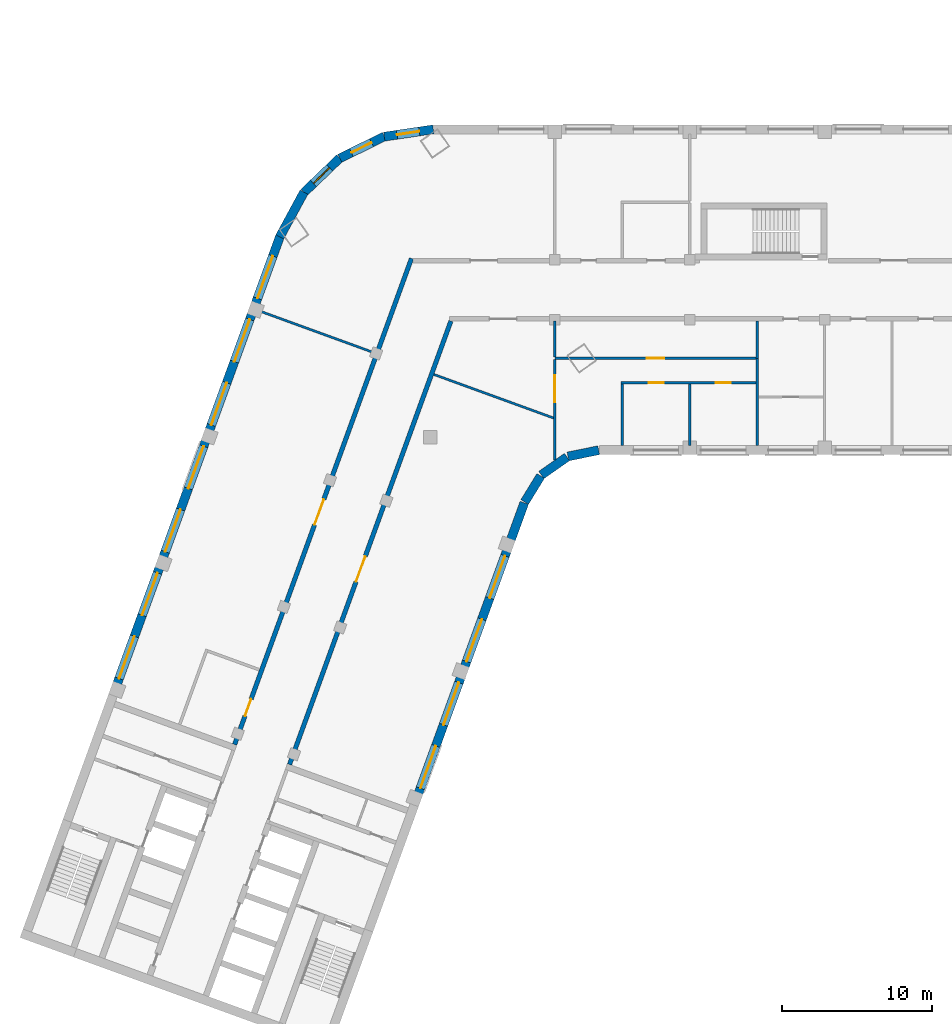
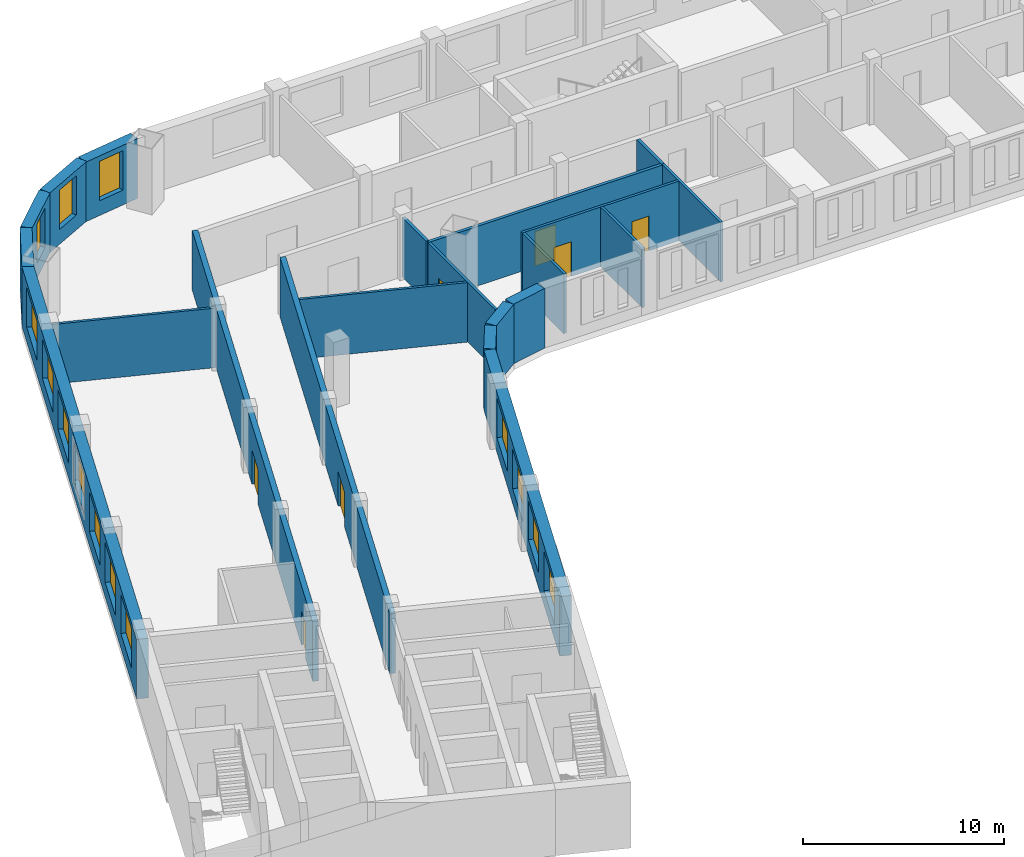
# One storey, part 3 of 12: 21 walls, 14 windows, 7 doors, 21 openings.
"""IFC4 building model written with IfcOpenShell, lengths in metres."""

from ifc_helpers import new_model, si_unit, direction, frame, frame_2d, origin, place, context, subcontext, project, spatial, rectangle, extrude, material, layer, layer_set, type_object, element, fill, save


model = new_model("IFC4")

# Units and contexts
model_context = context("Model", 3, precision=1e-05, world=origin(), true_north=direction((0.0, 1.0)))
body_context = subcontext(model_context, "Body", "Model", "MODEL_VIEW")
ifc_project = project(units=[si_unit("LENGTHUNIT", "METRE"), si_unit("AREAUNIT", "SQUARE_METRE"), si_unit("VOLUMEUNIT", "CUBIC_METRE"), si_unit("PLANEANGLEUNIT", "RADIAN"), si_unit("MASSUNIT", "GRAM", prefix="KILO")], contexts=[model_context])

# Site, building, storey
site_placement = place(None, origin())
site = spatial("IfcSite", under=ifc_project, at=site_placement, CompositionType="ELEMENT")
building_placement = place(site_placement, origin())
building = spatial("IfcBuilding", under=site, at=building_placement, Name="Skarvind Civic Tower", CompositionType="ELEMENT")
storey_placement = place(building_placement, frame((0.0, 0.0, 35.5)))
storey = spatial("IfcBuildingStorey", under=building, at=storey_placement, Name="L07", CompositionType="ELEMENT", Elevation=35.5)

# Wall
ifc_material_1 = material(Name="Acoustic gypsum board on steel studs", Category="steel")
ifc_layer_1 = layer(ifc_material_1, 0.175048828125)
ifc_layer_set_1 = layer_set([ifc_layer_1], Name="ACOUSTIC MEETING-ROOM PARTITION 175")
wall_type_1 = type_object("IfcWallType", Name="ACOUSTIC MEETING-ROOM PARTITION 175", PredefinedType="PARTITIONING", material=ifc_layer_set_1)
wall_1_placement = place(storey_placement, frame((54.25, 123.501953125, 0.0), z_axis=(0.0, 0.0, 1.0), x_axis=(0.0, 1.0, 0.0)))
element("IfcWall", 1, at=wall_1_placement, inside=storey, type_object=wall_type_1, Name="Partition 07.009", PredefinedType="PARTITIONING", context=body_context, shape_type="SweptSolid", body=[
    extrude(rectangle(XDim=2.39794921875, YDim=0.175048828125, at=frame_2d((1.198974609375, 0.0))), origin(), (0.0, 0.0, 1.0), 3.625),
])

# Wall, opening, door
wall_2_placement = place(storey_placement, frame((54.25, 123.429931640625, 0.0), z_axis=(0.0, 0.0, 1.0), x_axis=(1.0, 0.0, 0.0)))
wall_2 = element("IfcWall", 2, at=wall_2_placement, inside=storey, type_object=wall_type_1, Name="Partition 07.010", PredefinedType="PARTITIONING", context=body_context, shape_type="SweptSolid", body=[
    extrude(rectangle(XDim=13.412109375, YDim=0.175048828125, at=frame_2d((6.7060546875, 0.0))), origin(), (0.0, 0.0, 1.0), 3.625),
])
opening_1_placement = place(wall_2_placement, frame((6.115966796875, 0.0, 0.0)))
opening_1 = element("IfcOpeningElement", 3, at=opening_1_placement, cuts=wall_2, Name="Opening L07-D022", PredefinedType="OPENING", context=body_context, shape_type="SweptSolid", body=[
    extrude(rectangle(XDim=1.199951171875, YDim=2.10009765625, at=frame_2d((0.60009765625, 1.050048828125))), frame((0.0, 0.097412109375, 0.0), z_axis=(0.0, -1.0, 0.0), x_axis=(1.0, 0.0, 0.0)), (0.0, 0.0, 1.0), 0.195068359375),
])
ifc_material_2 = material(Name="Timber door leaf", Category="wood")
door_type_1 = type_object("IfcDoorType", Name="DOOR 1200X2100 DOUBLE TIMBER", OperationType="NOTDEFINED", PredefinedType="DOOR", material=ifc_material_2)
door_1_placement = place(opening_1_placement, origin())
door_1 = element("IfcDoor", 4, at=door_1_placement, inside=storey, type_object=door_type_1, Name="Door L07-D022", OperationType="DOUBLE_DOOR_SINGLE_SWING", OverallHeight=2.10009765625, OverallWidth=1.199951171875, PredefinedType="DOOR", context=body_context, shape_type="SweptSolid", body=[
    extrude(rectangle(XDim=1.199951171875, YDim=2.10009765625, at=frame_2d((0.60009765625, 1.050048828125))), frame((0.0, 0.02490234375, 0.0), z_axis=(0.0, -1.0, 0.0), x_axis=(1.0, 0.0, 0.0)), (0.0, 0.0, 1.0), 0.050048828125),
])
fill(opening_1, door_1)

# Wall
wall_3_placement = place(storey_placement, frame((67.75, 123.429931640625, 0.0), z_axis=(0.0, 0.0, 1.0), x_axis=(0.0, 1.0, 0.0)))
element("IfcWall", 5, at=wall_3_placement, inside=storey, type_object=wall_type_1, Name="Partition 07.021", PredefinedType="PARTITIONING", context=body_context, shape_type="SweptSolid", body=[
    extrude(rectangle(XDim=2.469970703125, YDim=0.175048828125, at=frame_2d((1.23486328125, 0.0))), origin(), (0.0, 0.0, 1.0), 3.625),
])

# Wall, openings, doors
ifc_material_3 = material(Name="Fire-rated gypsum board on steel studs", Category="steel")
ifc_layer_2 = layer(ifc_material_3, 0.300048828125)
ifc_layer_set_2 = layer_set([ifc_layer_2], Name="CORRIDOR WALL 300")
wall_type_2 = type_object("IfcWallType", Name="CORRIDOR WALL 300", PredefinedType="PARTITIONING", material=ifc_layer_set_2)
wall_4_placement = place(storey_placement, frame((32.881103515625, 97.656982421875, 0.0), z_axis=(0.0, 0.0, 1.0), x_axis=(0.342017360004, 0.939693633828, 0.0)))
wall_4 = element("IfcWall", 6, at=wall_4_placement, inside=storey, type_object=wall_type_2, Name="Partition 07.003", PredefinedType="PARTITIONING", context=body_context, shape_type="SweptSolid", body=[
    extrude(rectangle(XDim=34.515625, YDim=0.300048828125, at=frame_2d((17.2578125, 0.0))), origin(), (0.0, 0.0, 1.0), 3.625),
])
opening_2_placement = place(wall_4_placement, frame((2.02490234375, 0.0, 0.0)))
opening_2 = element("IfcOpeningElement", 7, at=opening_2_placement, cuts=wall_4, Name="Opening L07-D017", PredefinedType="OPENING", context=body_context, shape_type="SweptSolid", body=[
    extrude(rectangle(XDim=1.199951171875, YDim=2.10009765625, at=frame_2d((0.60009765625, 1.050048828125))), frame((0.0, 0.159912109375, 0.0), z_axis=(0.0, -1.0, 0.0), x_axis=(1.0, 0.0, 0.0)), (0.0, 0.0, 1.0), 0.320068359375),
])
opening_3_placement = place(wall_4_placement, frame((15.60009765625, 0.0, 0.0)))
opening_3 = element("IfcOpeningElement", 8, at=opening_3_placement, cuts=wall_4, Name="Opening L07-D018", PredefinedType="OPENING", context=body_context, shape_type="SweptSolid", body=[
    extrude(rectangle(XDim=1.800048828125, YDim=2.10009765625, at=frame_2d((0.89990234375, 1.050048828125))), frame((0.0, 0.159912109375, 0.0), z_axis=(0.0, -1.0, 0.0), x_axis=(1.0, 0.0, 0.0)), (0.0, 0.0, 1.0), 0.320068359375),
])
ifc_material_4 = material(Name="Fire-rated timber door leaf", Category="wood")
door_type_2 = type_object("IfcDoorType", Name="FD4 1800x2100", OperationType="NOTDEFINED", PredefinedType="DOOR", material=ifc_material_4)
door_2_placement = place(opening_3_placement, origin())
door_2 = element("IfcDoor", 9, at=door_2_placement, inside=storey, type_object=door_type_2, Name="Door L07-D018", OperationType="DOUBLE_DOOR_SINGLE_SWING", OverallHeight=2.10009765625, OverallWidth=1.800048828125, PredefinedType="DOOR", context=body_context, shape_type="SweptSolid", body=[
    extrude(rectangle(XDim=1.800048828125, YDim=2.10009765625, at=frame_2d((0.89990234375, 1.050048828125))), frame((0.0, 0.02490234375, 0.0), z_axis=(0.0, -1.0, 0.0), x_axis=(1.0, 0.0, 0.0)), (0.0, 0.0, 1.0), 0.050048828125),
])
fill(opening_3, door_2)
door_type_3 = type_object("IfcDoorType", Name="FD6 1200x2100 DOUBLE", OperationType="NOTDEFINED", PredefinedType="DOOR", material=ifc_material_4)
door_3_placement = place(opening_2_placement, origin())
door_3 = element("IfcDoor", 10, at=door_3_placement, inside=storey, type_object=door_type_3, Name="Door L07-D017", OperationType="DOUBLE_DOOR_SINGLE_SWING", OverallHeight=2.10009765625, OverallWidth=1.199951171875, PredefinedType="DOOR", context=body_context, shape_type="SweptSolid", body=[
    extrude(rectangle(XDim=1.199951171875, YDim=2.10009765625, at=frame_2d((0.60009765625, 1.050048828125))), frame((0.0, 0.02490234375, 0.0), z_axis=(0.0, -1.0, 0.0), x_axis=(1.0, 0.0, 0.0)), (0.0, 0.0, 1.0), 0.050048828125),
])
fill(opening_2, door_3)

# Wall, opening, door
wall_5_placement = place(storey_placement, frame((47.31396484375, 125.908935546875, 0.0), z_axis=(0.0, 0.0, 1.0), x_axis=(-0.342010770371, -0.939696032209, 0.0)))
wall_5 = element("IfcWall", 11, at=wall_5_placement, inside=storey, type_object=wall_type_2, Name="Partition 07.006", PredefinedType="PARTITIONING", context=body_context, shape_type="SweptSolid", body=[
    extrude(rectangle(XDim=31.484619140625, YDim=0.300048828125, at=frame_2d((15.7421875, 0.0))), origin(), (0.0, 0.0, 1.0), 3.625),
])
opening_4_placement = place(wall_5_placement, frame((16.709228515625, 0.0, 0.0)))
opening_4 = element("IfcOpeningElement", 12, at=opening_4_placement, cuts=wall_5, Name="Opening L07-D019", PredefinedType="OPENING", context=body_context, shape_type="SweptSolid", body=[
    extrude(rectangle(XDim=1.800048828125, YDim=2.10009765625, at=frame_2d((0.89990234375, 1.050048828125))), frame((0.0, 0.159912109375, 0.0), z_axis=(0.0, -1.0, 0.0), x_axis=(1.0, 0.0, 0.0)), (0.0, 0.0, 1.0), 0.320068359375),
])
door_4_placement = place(opening_4_placement, origin())
door_4 = element("IfcDoor", 13, at=door_4_placement, inside=storey, type_object=door_type_2, Name="Door L07-D019", OperationType="DOUBLE_DOOR_SINGLE_SWING", OverallHeight=2.10009765625, OverallWidth=1.800048828125, PredefinedType="DOOR", context=body_context, shape_type="SweptSolid", body=[
    extrude(rectangle(XDim=1.800048828125, YDim=2.10009765625, at=frame_2d((0.89990234375, 1.050048828125))), frame((0.0, 0.02490234375, 0.0), z_axis=(0.0, -1.0, 0.0), x_axis=(1.0, 0.0, 0.0)), (0.0, 0.0, 1.0), 0.050048828125),
])
fill(opening_4, door_4)

# Wall
ifc_material_5 = material(Name="Plasterboard partition on steel studs", Category="steel")
ifc_layer_3 = layer(ifc_material_5, 0.14990234375)
ifc_layer_set_3 = layer_set([ifc_layer_3], Name="PARTITION 150")
wall_type_3 = type_object("IfcWallType", Name="PARTITION 150", PredefinedType="PARTITIONING", material=ifc_layer_set_3)
wall_6_placement = place(storey_placement, frame((42.23095703125, 123.784912109375, 0.0), z_axis=(0.0, 0.0, 1.0), x_axis=(-0.939687752599, 0.342033518263, 0.0)))
element("IfcWall", 14, at=wall_6_placement, inside=storey, type_object=wall_type_3, Name="Partition 07.004", PredefinedType="PARTITIONING", context=body_context, shape_type="SweptSolid", body=[
    extrude(rectangle(XDim=8.30078125, YDim=0.14990234375, at=frame_2d((4.150390625, 0.0))), origin(), (0.0, 0.0, 1.0), 3.625),
])

# Wall, opening, door
wall_7_placement = place(storey_placement, frame((54.25, 116.636962890625, 0.0), z_axis=(0.0, 0.0, 1.0), x_axis=(0.0, 1.0, 0.0)))
wall_7 = element("IfcWall", 15, at=wall_7_placement, inside=storey, type_object=wall_type_3, Name="Partition 07.007", PredefinedType="PARTITIONING", context=body_context, shape_type="SweptSolid", body=[
    extrude(rectangle(XDim=6.708984375, YDim=0.14990234375, at=frame_2d((3.3544921875, 0.0))), origin(), (0.0, 0.0, 1.0), 3.625),
])
opening_5_placement = place(wall_7_placement, frame((3.849609375, 0.0, 0.0)))
opening_5 = element("IfcOpeningElement", 16, at=opening_5_placement, cuts=wall_7, Name="Opening L07-D016", PredefinedType="OPENING", context=body_context, shape_type="SweptSolid", body=[
    extrude(rectangle(XDim=1.800048828125, YDim=2.10009765625, at=frame_2d((0.89990234375, 1.050048828125))), frame((0.0, 0.0849609375, 0.0), z_axis=(0.0, -1.0, 0.0), x_axis=(1.0, 0.0, 0.0)), (0.0, 0.0, 1.0), 0.169921875),
])
door_type_4 = type_object("IfcDoorType", Name="D4 1800x2100", OperationType="NOTDEFINED", PredefinedType="DOOR", material=ifc_material_2)
door_5_placement = place(opening_5_placement, origin())
door_5 = element("IfcDoor", 17, at=door_5_placement, inside=storey, type_object=door_type_4, Name="Door L07-D016", OperationType="DOUBLE_DOOR_SINGLE_SWING", OverallHeight=2.10009765625, OverallWidth=1.800048828125, PredefinedType="DOOR", context=body_context, shape_type="SweptSolid", body=[
    extrude(rectangle(XDim=1.800048828125, YDim=2.10009765625, at=frame_2d((0.89990234375, 1.050048828125))), frame((0.0, 0.02490234375, 0.0), z_axis=(0.0, -1.0, 0.0), x_axis=(1.0, 0.0, 0.0)), (0.0, 0.0, 1.0), 0.050048828125),
])
fill(opening_5, door_5)

# Walls
wall_8_placement = place(storey_placement, frame((54.179931640625, 119.43603515625, 0.0), z_axis=(0.0, 0.0, 1.0), x_axis=(-0.939669476286, 0.342083725624, 0.0)))
element("IfcWall", 18, at=wall_8_placement, inside=storey, type_object=wall_type_3, Name="Partition 07.008", PredefinedType="PARTITIONING", context=body_context, shape_type="SweptSolid", body=[
    extrude(rectangle(XDim=8.515625, YDim=0.14990234375, at=frame_2d((4.2578125, 0.0))), origin(), (0.0, 0.0, 1.0), 3.625),
])
wall_9_placement = place(storey_placement, frame((58.75, 117.60009765625, 0.0), z_axis=(0.0, 0.0, 1.0), x_axis=(0.0, 1.0, 0.0)))
element("IfcWall", 19, at=wall_9_placement, inside=storey, type_object=wall_type_3, Name="Partition 07.012", PredefinedType="PARTITIONING", context=body_context, shape_type="SweptSolid", body=[
    extrude(rectangle(XDim=4.125, YDim=0.14990234375, at=frame_2d((2.0625, 0.0))), origin(), (0.0, 0.0, 1.0), 3.625),
])

# Wall, openings, doors
wall_10_placement = place(storey_placement, frame((58.675048828125, 121.800048828125, 0.0), z_axis=(0.0, 0.0, 1.0), x_axis=(1.0, 0.0, 0.0)))
wall_10 = element("IfcWall", 20, at=wall_10_placement, inside=storey, type_object=wall_type_3, Name="Partition 07.013", PredefinedType="PARTITIONING", context=body_context, shape_type="SweptSolid", body=[
    extrude(rectangle(XDim=9.0, YDim=0.14990234375, at=frame_2d((4.5, 0.0))), origin(), (0.0, 0.0, 1.0), 3.625),
])
opening_6_placement = place(wall_10_placement, frame((6.297607421875, 0.0, 0.0)))
opening_6 = element("IfcOpeningElement", 21, at=opening_6_placement, cuts=wall_10, Name="Opening L07-D013", PredefinedType="OPENING", context=body_context, shape_type="SweptSolid", body=[
    extrude(rectangle(XDim=1.0, YDim=2.10009765625, at=frame_2d((0.5, 1.050048828125))), frame((0.0, 0.0849609375, 0.0), z_axis=(0.0, -1.0, 0.0), x_axis=(1.0, 0.0, 0.0)), (0.0, 0.0, 1.0), 0.169921875),
])
opening_7_placement = place(wall_10_placement, frame((1.824951171875, 0.0, 0.0)))
opening_7 = element("IfcOpeningElement", 22, at=opening_7_placement, cuts=wall_10, Name="Opening L07-D014", PredefinedType="OPENING", context=body_context, shape_type="SweptSolid", body=[
    extrude(rectangle(XDim=1.0, YDim=2.10009765625, at=frame_2d((0.5, 1.050048828125))), frame((0.0, 0.0849609375, 0.0), z_axis=(0.0, -1.0, 0.0), x_axis=(1.0, 0.0, 0.0)), (0.0, 0.0, 1.0), 0.169921875),
])
door_type_5 = type_object("IfcDoorType", Name="D1 1000x2100", OperationType="NOTDEFINED", PredefinedType="DOOR", material=ifc_material_2)
door_6_placement = place(opening_6_placement, origin())
door_6 = element("IfcDoor", 23, at=door_6_placement, inside=storey, type_object=door_type_5, Name="Door L07-D013", OperationType="SINGLE_SWING_RIGHT", OverallHeight=2.10009765625, OverallWidth=1.0, PredefinedType="DOOR", context=body_context, shape_type="SweptSolid", body=[
    extrude(rectangle(XDim=1.0, YDim=2.10009765625, at=frame_2d((0.5, 1.050048828125))), frame((0.0, 0.02490234375, 0.0), z_axis=(0.0, -1.0, 0.0), x_axis=(1.0, 0.0, 0.0)), (0.0, 0.0, 1.0), 0.050048828125),
])
fill(opening_6, door_6)
door_7_placement = place(opening_7_placement, origin())
door_7 = element("IfcDoor", 24, at=door_7_placement, inside=storey, type_object=door_type_5, Name="Door L07-D014", OperationType="SINGLE_SWING_LEFT", OverallHeight=2.10009765625, OverallWidth=1.0, PredefinedType="DOOR", context=body_context, shape_type="SweptSolid", body=[
    extrude(rectangle(XDim=1.0, YDim=2.10009765625, at=frame_2d((0.5, 1.050048828125))), frame((0.0, 0.02490234375, 0.0), z_axis=(0.0, -1.0, 0.0), x_axis=(1.0, 0.0, 0.0)), (0.0, 0.0, 1.0), 0.050048828125),
])
fill(opening_7, door_7)

# Walls
wall_11_placement = place(storey_placement, frame((63.25, 117.60009765625, 0.0), z_axis=(0.0, 0.0, 1.0), x_axis=(0.0, 1.0, 0.0)))
element("IfcWall", 25, at=wall_11_placement, inside=storey, type_object=wall_type_3, Name="Partition 07.016", PredefinedType="PARTITIONING", context=body_context, shape_type="SweptSolid", body=[
    extrude(rectangle(XDim=4.125, YDim=0.14990234375, at=frame_2d((2.0625, 0.0))), origin(), (0.0, 0.0, 1.0), 3.625),
])
wall_12_placement = place(storey_placement, frame((67.75, 117.60009765625, 0.0), z_axis=(0.0, 0.0, 1.0), x_axis=(0.0, 1.0, 0.0)))
element("IfcWall", 26, at=wall_12_placement, inside=storey, type_object=wall_type_3, Name="Partition 07.019", PredefinedType="PARTITIONING", context=body_context, shape_type="SweptSolid", body=[
    extrude(rectangle(XDim=5.829833984375, YDim=0.14990234375, at=frame_2d((2.9150390625, 0.0))), origin(), (0.0, 0.0, 1.0), 3.625),
])

# Wall, openings, windows
ifc_material_6 = material(Name="Limestone masonry cladding on insulated backing", Category="masonry")
ifc_layer_4 = layer(ifc_material_6, 0.60009765625)
ifc_layer_set_4 = layer_set([ifc_layer_4], Name="WX1 STONE FACADE WALL 600")
wall_type_4 = type_object("IfcWallType", Name="WX1 STONE FACADE WALL 600", PredefinedType="SOLIDWALL", material=ifc_layer_set_4)
wall_13_placement = place(storey_placement, frame((52.212158203125, 113.78271484375, 0.0), z_axis=(0.0, 0.0, 1.0), x_axis=(-0.34202521188, -0.939690775968, 0.0)))
wall_13 = element("IfcWall", 27, at=wall_13_placement, inside=storey, type_object=wall_type_4, Name="STONE FACADE WALL", PredefinedType="SOLIDWALL", context=body_context, shape_type="SweptSolid", body=[
    extrude(rectangle(XDim=21.744873046875, YDim=0.60009765625, at=frame_2d((10.87255859375, 0.0))), origin(), (0.0, 0.0, 1.0), 3.625),
])
opening_8_placement = place(wall_13_placement, frame((3.764892578125, 0.0, 0.89990234375)))
opening_8 = element("IfcOpeningElement", 28, at=opening_8_placement, cuts=wall_13, Name="Opening WN1", PredefinedType="OPENING", context=body_context, shape_type="SweptSolid", body=[
    extrude(rectangle(XDim=3.0, YDim=2.39990234375, at=frame_2d((1.5, 1.199951171875))), frame((0.0, 0.31005859375, 0.0), z_axis=(0.0, -1.0, 0.0), x_axis=(1.0, 0.0, 0.0)), (0.0, 0.0, 1.0), 0.6201171875),
])
opening_9_placement = place(wall_13_placement, frame((8.264892578125, 0.0, 0.89990234375)))
opening_9 = element("IfcOpeningElement", 29, at=opening_9_placement, cuts=wall_13, Name="Opening WN1", PredefinedType="OPENING", context=body_context, shape_type="SweptSolid", body=[
    extrude(rectangle(XDim=3.0, YDim=2.39990234375, at=frame_2d((1.5, 1.199951171875))), frame((0.0, 0.31005859375, 0.0), z_axis=(0.0, -1.0, 0.0), x_axis=(1.0, 0.0, 0.0)), (0.0, 0.0, 1.0), 0.6201171875),
])
opening_10_placement = place(wall_13_placement, frame((12.764892578125, 0.0, 0.89990234375)))
opening_10 = element("IfcOpeningElement", 30, at=opening_10_placement, cuts=wall_13, Name="Opening WN1", PredefinedType="OPENING", context=body_context, shape_type="SweptSolid", body=[
    extrude(rectangle(XDim=3.0, YDim=2.39990234375, at=frame_2d((1.5, 1.199951171875))), frame((0.0, 0.31005859375, 0.0), z_axis=(0.0, -1.0, 0.0), x_axis=(1.0, 0.0, 0.0)), (0.0, 0.0, 1.0), 0.6201171875),
])
opening_11_placement = place(wall_13_placement, frame((17.264892578125, 0.0, 0.89990234375)))
opening_11 = element("IfcOpeningElement", 31, at=opening_11_placement, cuts=wall_13, Name="Opening WN1", PredefinedType="OPENING", context=body_context, shape_type="SweptSolid", body=[
    extrude(rectangle(XDim=3.0, YDim=2.39990234375, at=frame_2d((1.5, 1.199951171875))), frame((0.0, 0.31005859375, 0.0), z_axis=(0.0, -1.0, 0.0), x_axis=(1.0, 0.0, 0.0)), (0.0, 0.0, 1.0), 0.6201171875),
])
ifc_material_7 = material(Name="Timber frame, double glazing, timber-lined reveal", Category="wood")
window_type_1 = type_object("IfcWindowType", Name="WN1 PUNCHED STONE WINDOW 3000 x 2400", PartitioningType="SINGLE_PANEL", PredefinedType="WINDOW", material=ifc_material_7)
window_1_placement = place(opening_8_placement, origin())
window_1 = element("IfcWindow", 32, at=window_1_placement, inside=storey, type_object=window_type_1, Name="WN1 WINDOW", OverallHeight=2.39990234375, OverallWidth=3.0, PartitioningType="SINGLE_PANEL", PredefinedType="WINDOW", context=body_context, shape_type="SweptSolid", body=[
    extrude(rectangle(XDim=3.0, YDim=2.39990234375, at=frame_2d((1.5, 1.199951171875))), frame((0.0, 0.030029296875, 0.0), z_axis=(0.0, -1.0, 0.0), x_axis=(1.0, 0.0, 0.0)), (0.0, 0.0, 1.0), 0.06005859375),
])
fill(opening_8, window_1)
window_2_placement = place(opening_9_placement, origin())
window_2 = element("IfcWindow", 33, at=window_2_placement, inside=storey, type_object=window_type_1, Name="WN1 WINDOW", OverallHeight=2.39990234375, OverallWidth=3.0, PartitioningType="SINGLE_PANEL", PredefinedType="WINDOW", context=body_context, shape_type="SweptSolid", body=[
    extrude(rectangle(XDim=3.0, YDim=2.39990234375, at=frame_2d((1.5, 1.199951171875))), frame((0.0, 0.030029296875, 0.0), z_axis=(0.0, -1.0, 0.0), x_axis=(1.0, 0.0, 0.0)), (0.0, 0.0, 1.0), 0.06005859375),
])
fill(opening_9, window_2)
window_3_placement = place(opening_10_placement, origin())
window_3 = element("IfcWindow", 34, at=window_3_placement, inside=storey, type_object=window_type_1, Name="WN1 WINDOW", OverallHeight=2.39990234375, OverallWidth=3.0, PartitioningType="SINGLE_PANEL", PredefinedType="WINDOW", context=body_context, shape_type="SweptSolid", body=[
    extrude(rectangle(XDim=3.0, YDim=2.39990234375, at=frame_2d((1.5, 1.199951171875))), frame((0.0, 0.030029296875, 0.0), z_axis=(0.0, -1.0, 0.0), x_axis=(1.0, 0.0, 0.0)), (0.0, 0.0, 1.0), 0.06005859375),
])
fill(opening_10, window_3)
window_4_placement = place(opening_11_placement, origin())
window_4 = element("IfcWindow", 35, at=window_4_placement, inside=storey, type_object=window_type_1, Name="WN1 WINDOW", OverallHeight=2.39990234375, OverallWidth=3.0, PartitioningType="SINGLE_PANEL", PredefinedType="WINDOW", context=body_context, shape_type="SweptSolid", body=[
    extrude(rectangle(XDim=3.0, YDim=2.39990234375, at=frame_2d((1.5, 1.199951171875))), frame((0.0, 0.030029296875, 0.0), z_axis=(0.0, -1.0, 0.0), x_axis=(1.0, 0.0, 0.0)), (0.0, 0.0, 1.0), 0.06005859375),
])
fill(opening_11, window_4)

# Walls
wall_14_placement = place(storey_placement, frame((53.30517578125, 115.578369140625, 0.0), z_axis=(0.0, 0.0, 1.0), x_axis=(-0.522402266438, -0.852699168535, 0.0)))
element("IfcWall", 36, at=wall_14_placement, inside=storey, type_object=wall_type_4, Name="STONE FACADE WALL", PredefinedType="SOLIDWALL", context=body_context, shape_type="SweptSolid", body=[
    extrude(rectangle(XDim=2.042236328125, YDim=0.60009765625, at=frame_2d((1.02099609375, 0.0))), origin(), (0.0, 0.0, 1.0), 3.625),
])
for number, where, z_axis, x_axis, name in (
    (37, (55.061767578125, 116.8388671875, 0.0), (0.0, 0.0, 1.0), (-0.819122269495, -0.573618956815, 0.0), "STONE FACADE WALL"),
    (38, (57.17529296875, 117.2939453125, 0.0), (0.0, 0.0, 1.0), (-0.97996099083, -0.19918949885, 0.0), "STONE FACADE WALL"),
):
    element("IfcWall", number, at=place(storey_placement, frame(where, z_axis=z_axis, x_axis=x_axis)), inside=storey, type_object=wall_type_4, Name=name, PredefinedType="SOLIDWALL", context=body_context, shape_type="SweptSolid", body=[
        extrude(rectangle(XDim=2.09228515625, YDim=0.60009765625, at=frame_2d((1.046142578125, 0.0))), origin(), (0.0, 0.0, 1.0), 3.625),
    ])

# Wall, opening, window
wall_15_placement = place(storey_placement, frame((42.872802734375, 138.21728515625, 0.0), z_axis=(0.0, 0.0, 1.0), x_axis=(0.989110792192, 0.14717282619, 0.0)))
wall_15 = element("IfcWall", 39, at=wall_15_placement, inside=storey, type_object=wall_type_4, Name="STONE FACADE WALL", PredefinedType="SOLIDWALL", context=body_context, shape_type="SweptSolid", body=[
    extrude(rectangle(XDim=3.302734375, YDim=0.60009765625, at=frame_2d((1.6513671875, 0.0))), origin(), (0.0, 0.0, 1.0), 3.625),
])
opening_12_placement = place(wall_15_placement, frame((0.8564453125, 0.0, 0.89990234375)))
opening_12 = element("IfcOpeningElement", 40, at=opening_12_placement, cuts=wall_15, Name="Opening WN8", PredefinedType="OPENING", context=body_context, shape_type="SweptSolid", body=[
    extrude(rectangle(XDim=1.5, YDim=2.39990234375, at=frame_2d((0.75, 1.199951171875))), frame((0.0, 0.31005859375, 0.0), z_axis=(0.0, -1.0, 0.0), x_axis=(1.0, 0.0, 0.0)), (0.0, 0.0, 1.0), 0.6201171875),
])
window_type_2 = type_object("IfcWindowType", Name="WN8 ARC BAY WINDOW 1500 x 2400", PartitioningType="SINGLE_PANEL", PredefinedType="WINDOW", material=ifc_material_7)
window_5_placement = place(opening_12_placement, origin())
window_5 = element("IfcWindow", 41, at=window_5_placement, inside=storey, type_object=window_type_2, Name="WN8 WINDOW", OverallHeight=2.39990234375, OverallWidth=1.5, PartitioningType="SINGLE_PANEL", PredefinedType="WINDOW", context=body_context, shape_type="SweptSolid", body=[
    extrude(rectangle(XDim=1.5, YDim=2.39990234375, at=frame_2d((0.75, 1.199951171875))), frame((0.0, 0.030029296875, 0.0), z_axis=(0.0, -1.0, 0.0), x_axis=(1.0, 0.0, 0.0)), (0.0, 0.0, 1.0), 0.06005859375),
])
fill(opening_12, window_5)

wall_16_placement = place(storey_placement, frame((39.9072265625, 136.77587890625, 0.0), z_axis=(0.0, 0.0, 1.0), x_axis=(0.89761231107, 0.440785819889, 0.0)))
wall_16 = element("IfcWall", 42, at=wall_16_placement, inside=storey, type_object=wall_type_4, Name="STONE FACADE WALL", PredefinedType="SOLIDWALL", context=body_context, shape_type="SweptSolid", body=[
    extrude(rectangle(XDim=3.302734375, YDim=0.60009765625, at=frame_2d((1.6513671875, 0.0))), origin(), (0.0, 0.0, 1.0), 3.625),
])
opening_13_placement = place(wall_16_placement, frame((0.8564453125, 0.0, 0.89990234375)))
opening_13 = element("IfcOpeningElement", 43, at=opening_13_placement, cuts=wall_16, Name="Opening WN8", PredefinedType="OPENING", context=body_context, shape_type="SweptSolid", body=[
    extrude(rectangle(XDim=1.5, YDim=2.39990234375, at=frame_2d((0.75, 1.199951171875))), frame((0.0, 0.31005859375, 0.0), z_axis=(0.0, -1.0, 0.0), x_axis=(1.0, 0.0, 0.0)), (0.0, 0.0, 1.0), 0.6201171875),
])
window_6_placement = place(opening_13_placement, origin())
window_6 = element("IfcWindow", 44, at=window_6_placement, inside=storey, type_object=window_type_2, Name="WN8 WINDOW", OverallHeight=2.39990234375, OverallWidth=1.5, PartitioningType="SINGLE_PANEL", PredefinedType="WINDOW", context=body_context, shape_type="SweptSolid", body=[
    extrude(rectangle(XDim=1.5, YDim=2.39990234375, at=frame_2d((0.75, 1.199951171875))), frame((0.0, 0.030029296875, 0.0), z_axis=(0.0, -1.0, 0.0), x_axis=(1.0, 0.0, 0.0)), (0.0, 0.0, 1.0), 0.06005859375),
])
fill(opening_13, window_6)

wall_17_placement = place(storey_placement, frame((37.520263671875, 134.501220703125, 0.0), z_axis=(0.0, 0.0, 1.0), x_axis=(0.72115684486, 0.692771827596, 0.0)))
wall_17 = element("IfcWall", 45, at=wall_17_placement, inside=storey, type_object=wall_type_4, Name="STONE FACADE WALL", PredefinedType="SOLIDWALL", context=body_context, shape_type="SweptSolid", body=[
    extrude(rectangle(XDim=3.302734375, YDim=0.60009765625, at=frame_2d((1.6513671875, 0.0))), origin(), (0.0, 0.0, 1.0), 3.625),
])
opening_14_placement = place(wall_17_placement, frame((0.8564453125, 0.0, 0.89990234375)))
opening_14 = element("IfcOpeningElement", 46, at=opening_14_placement, cuts=wall_17, Name="Opening WN8", PredefinedType="OPENING", context=body_context, shape_type="SweptSolid", body=[
    extrude(rectangle(XDim=1.5, YDim=2.39990234375, at=frame_2d((0.75, 1.199951171875))), frame((0.0, 0.31005859375, 0.0), z_axis=(0.0, -1.0, 0.0), x_axis=(1.0, 0.0, 0.0)), (0.0, 0.0, 1.0), 0.6201171875),
])
window_7_placement = place(opening_14_placement, origin())
window_7 = element("IfcWindow", 47, at=window_7_placement, inside=storey, type_object=window_type_2, Name="WN8 WINDOW", OverallHeight=2.39990234375, OverallWidth=1.5, PartitioningType="SINGLE_PANEL", PredefinedType="WINDOW", context=body_context, shape_type="SweptSolid", body=[
    extrude(rectangle(XDim=1.5, YDim=2.39990234375, at=frame_2d((0.75, 1.199951171875))), frame((0.0, 0.030029296875, 0.0), z_axis=(0.0, -1.0, 0.0), x_axis=(1.0, 0.0, 0.0)), (0.0, 0.0, 1.0), 0.06005859375),
])
fill(opening_14, window_7)

# Wall
wall_18_placement = place(storey_placement, frame((35.89453125, 131.529541015625, 0.0), z_axis=(0.0, 0.0, 1.0), x_axis=(0.476531180538, 0.879157570618, 0.0)))
element("IfcWall", 48, at=wall_18_placement, inside=storey, type_object=wall_type_4, Name="STONE FACADE WALL", PredefinedType="SOLIDWALL", context=body_context, shape_type="SweptSolid", body=[
    extrude(rectangle(XDim=3.392578125, YDim=0.60009765625, at=frame_2d((1.6962890625, 0.0))), origin(), (0.0, 0.0, 1.0), 3.625),
])

# Wall, openings, windows
wall_19_placement = place(storey_placement, frame((24.66552734375, 100.668701171875, 0.0), z_axis=(0.0, 0.0, 1.0), x_axis=(0.34201964167, 0.939692803373, 0.0)))
wall_19 = element("IfcWall", 49, at=wall_19_placement, inside=storey, type_object=wall_type_4, Name="STONE FACADE WALL", PredefinedType="SOLIDWALL", context=body_context, shape_type="SweptSolid", body=[
    extrude(rectangle(XDim=32.88427734375, YDim=0.60009765625, at=frame_2d((16.442138671875, 0.0))), origin(), (0.0, 0.0, 1.0), 3.625),
])
opening_15_placement = place(wall_19_placement, frame((1.47998046875, 0.0, 0.89990234375)))
opening_15 = element("IfcOpeningElement", 50, at=opening_15_placement, cuts=wall_19, Name="Opening WN1", PredefinedType="OPENING", context=body_context, shape_type="SweptSolid", body=[
    extrude(rectangle(XDim=3.0, YDim=2.39990234375, at=frame_2d((1.5, 1.199951171875))), frame((0.0, 0.31005859375, 0.0), z_axis=(0.0, -1.0, 0.0), x_axis=(1.0, 0.0, 0.0)), (0.0, 0.0, 1.0), 0.6201171875),
])
opening_16_placement = place(wall_19_placement, frame((5.97998046875, 0.0, 0.89990234375)))
opening_16 = element("IfcOpeningElement", 51, at=opening_16_placement, cuts=wall_19, Name="Opening WN1", PredefinedType="OPENING", context=body_context, shape_type="SweptSolid", body=[
    extrude(rectangle(XDim=3.0, YDim=2.39990234375, at=frame_2d((1.5, 1.199951171875))), frame((0.0, 0.31005859375, 0.0), z_axis=(0.0, -1.0, 0.0), x_axis=(1.0, 0.0, 0.0)), (0.0, 0.0, 1.0), 0.6201171875),
])
opening_17_placement = place(wall_19_placement, frame((10.47998046875, 0.0, 0.89990234375)))
opening_17 = element("IfcOpeningElement", 52, at=opening_17_placement, cuts=wall_19, Name="Opening WN1", PredefinedType="OPENING", context=body_context, shape_type="SweptSolid", body=[
    extrude(rectangle(XDim=3.0, YDim=2.39990234375, at=frame_2d((1.5, 1.199951171875))), frame((0.0, 0.31005859375, 0.0), z_axis=(0.0, -1.0, 0.0), x_axis=(1.0, 0.0, 0.0)), (0.0, 0.0, 1.0), 0.6201171875),
])
opening_18_placement = place(wall_19_placement, frame((14.97998046875, 0.0, 0.89990234375)))
opening_18 = element("IfcOpeningElement", 53, at=opening_18_placement, cuts=wall_19, Name="Opening WN1", PredefinedType="OPENING", context=body_context, shape_type="SweptSolid", body=[
    extrude(rectangle(XDim=3.0, YDim=2.39990234375, at=frame_2d((1.5, 1.199951171875))), frame((0.0, 0.31005859375, 0.0), z_axis=(0.0, -1.0, 0.0), x_axis=(1.0, 0.0, 0.0)), (0.0, 0.0, 1.0), 0.6201171875),
])
opening_19_placement = place(wall_19_placement, frame((19.47998046875, 0.0, 0.89990234375)))
opening_19 = element("IfcOpeningElement", 54, at=opening_19_placement, cuts=wall_19, Name="Opening WN1", PredefinedType="OPENING", context=body_context, shape_type="SweptSolid", body=[
    extrude(rectangle(XDim=3.0, YDim=2.39990234375, at=frame_2d((1.5, 1.199951171875))), frame((0.0, 0.31005859375, 0.0), z_axis=(0.0, -1.0, 0.0), x_axis=(1.0, 0.0, 0.0)), (0.0, 0.0, 1.0), 0.6201171875),
])
opening_20_placement = place(wall_19_placement, frame((23.97998046875, 0.0, 0.89990234375)))
opening_20 = element("IfcOpeningElement", 55, at=opening_20_placement, cuts=wall_19, Name="Opening WN1", PredefinedType="OPENING", context=body_context, shape_type="SweptSolid", body=[
    extrude(rectangle(XDim=3.0, YDim=2.39990234375, at=frame_2d((1.5, 1.199951171875))), frame((0.0, 0.31005859375, 0.0), z_axis=(0.0, -1.0, 0.0), x_axis=(1.0, 0.0, 0.0)), (0.0, 0.0, 1.0), 0.6201171875),
])
opening_21_placement = place(wall_19_placement, frame((28.47998046875, 0.0, 0.89990234375)))
opening_21 = element("IfcOpeningElement", 56, at=opening_21_placement, cuts=wall_19, Name="Opening WN1", PredefinedType="OPENING", context=body_context, shape_type="SweptSolid", body=[
    extrude(rectangle(XDim=3.0, YDim=2.39990234375, at=frame_2d((1.5, 1.199951171875))), frame((0.0, 0.31005859375, 0.0), z_axis=(0.0, -1.0, 0.0), x_axis=(1.0, 0.0, 0.0)), (0.0, 0.0, 1.0), 0.6201171875),
])
window_8_placement = place(opening_15_placement, origin())
window_8 = element("IfcWindow", 57, at=window_8_placement, inside=storey, type_object=window_type_1, Name="WN1 WINDOW", OverallHeight=2.39990234375, OverallWidth=3.0, PartitioningType="SINGLE_PANEL", PredefinedType="WINDOW", context=body_context, shape_type="SweptSolid", body=[
    extrude(rectangle(XDim=3.0, YDim=2.39990234375, at=frame_2d((1.5, 1.199951171875))), frame((0.0, 0.030029296875, 0.0), z_axis=(0.0, -1.0, 0.0), x_axis=(1.0, 0.0, 0.0)), (0.0, 0.0, 1.0), 0.06005859375),
])
fill(opening_15, window_8)
window_9_placement = place(opening_16_placement, origin())
window_9 = element("IfcWindow", 58, at=window_9_placement, inside=storey, type_object=window_type_1, Name="WN1 WINDOW", OverallHeight=2.39990234375, OverallWidth=3.0, PartitioningType="SINGLE_PANEL", PredefinedType="WINDOW", context=body_context, shape_type="SweptSolid", body=[
    extrude(rectangle(XDim=3.0, YDim=2.39990234375, at=frame_2d((1.5, 1.199951171875))), frame((0.0, 0.030029296875, 0.0), z_axis=(0.0, -1.0, 0.0), x_axis=(1.0, 0.0, 0.0)), (0.0, 0.0, 1.0), 0.06005859375),
])
fill(opening_16, window_9)
window_10_placement = place(opening_17_placement, origin())
window_10 = element("IfcWindow", 59, at=window_10_placement, inside=storey, type_object=window_type_1, Name="WN1 WINDOW", OverallHeight=2.39990234375, OverallWidth=3.0, PartitioningType="SINGLE_PANEL", PredefinedType="WINDOW", context=body_context, shape_type="SweptSolid", body=[
    extrude(rectangle(XDim=3.0, YDim=2.39990234375, at=frame_2d((1.5, 1.199951171875))), frame((0.0, 0.030029296875, 0.0), z_axis=(0.0, -1.0, 0.0), x_axis=(1.0, 0.0, 0.0)), (0.0, 0.0, 1.0), 0.06005859375),
])
fill(opening_17, window_10)
window_11_placement = place(opening_18_placement, origin())
window_11 = element("IfcWindow", 60, at=window_11_placement, inside=storey, type_object=window_type_1, Name="WN1 WINDOW", OverallHeight=2.39990234375, OverallWidth=3.0, PartitioningType="SINGLE_PANEL", PredefinedType="WINDOW", context=body_context, shape_type="SweptSolid", body=[
    extrude(rectangle(XDim=3.0, YDim=2.39990234375, at=frame_2d((1.5, 1.199951171875))), frame((0.0, 0.030029296875, 0.0), z_axis=(0.0, -1.0, 0.0), x_axis=(1.0, 0.0, 0.0)), (0.0, 0.0, 1.0), 0.06005859375),
])
fill(opening_18, window_11)
window_12_placement = place(opening_19_placement, origin())
window_12 = element("IfcWindow", 61, at=window_12_placement, inside=storey, type_object=window_type_1, Name="WN1 WINDOW", OverallHeight=2.39990234375, OverallWidth=3.0, PartitioningType="SINGLE_PANEL", PredefinedType="WINDOW", context=body_context, shape_type="SweptSolid", body=[
    extrude(rectangle(XDim=3.0, YDim=2.39990234375, at=frame_2d((1.5, 1.199951171875))), frame((0.0, 0.030029296875, 0.0), z_axis=(0.0, -1.0, 0.0), x_axis=(1.0, 0.0, 0.0)), (0.0, 0.0, 1.0), 0.06005859375),
])
fill(opening_19, window_12)
window_13_placement = place(opening_20_placement, origin())
window_13 = element("IfcWindow", 62, at=window_13_placement, inside=storey, type_object=window_type_1, Name="WN1 WINDOW", OverallHeight=2.39990234375, OverallWidth=3.0, PartitioningType="SINGLE_PANEL", PredefinedType="WINDOW", context=body_context, shape_type="SweptSolid", body=[
    extrude(rectangle(XDim=3.0, YDim=2.39990234375, at=frame_2d((1.5, 1.199951171875))), frame((0.0, 0.030029296875, 0.0), z_axis=(0.0, -1.0, 0.0), x_axis=(1.0, 0.0, 0.0)), (0.0, 0.0, 1.0), 0.06005859375),
])
fill(opening_20, window_13)
window_14_placement = place(opening_21_placement, origin())
window_14 = element("IfcWindow", 63, at=window_14_placement, inside=storey, type_object=window_type_1, Name="WN1 WINDOW", OverallHeight=2.39990234375, OverallWidth=3.0, PartitioningType="SINGLE_PANEL", PredefinedType="WINDOW", context=body_context, shape_type="SweptSolid", body=[
    extrude(rectangle(XDim=3.0, YDim=2.39990234375, at=frame_2d((1.5, 1.199951171875))), frame((0.0, 0.030029296875, 0.0), z_axis=(0.0, -1.0, 0.0), x_axis=(1.0, 0.0, 0.0)), (0.0, 0.0, 1.0), 0.06005859375),
])
fill(opening_21, window_14)

save(model, "model.ifc")
